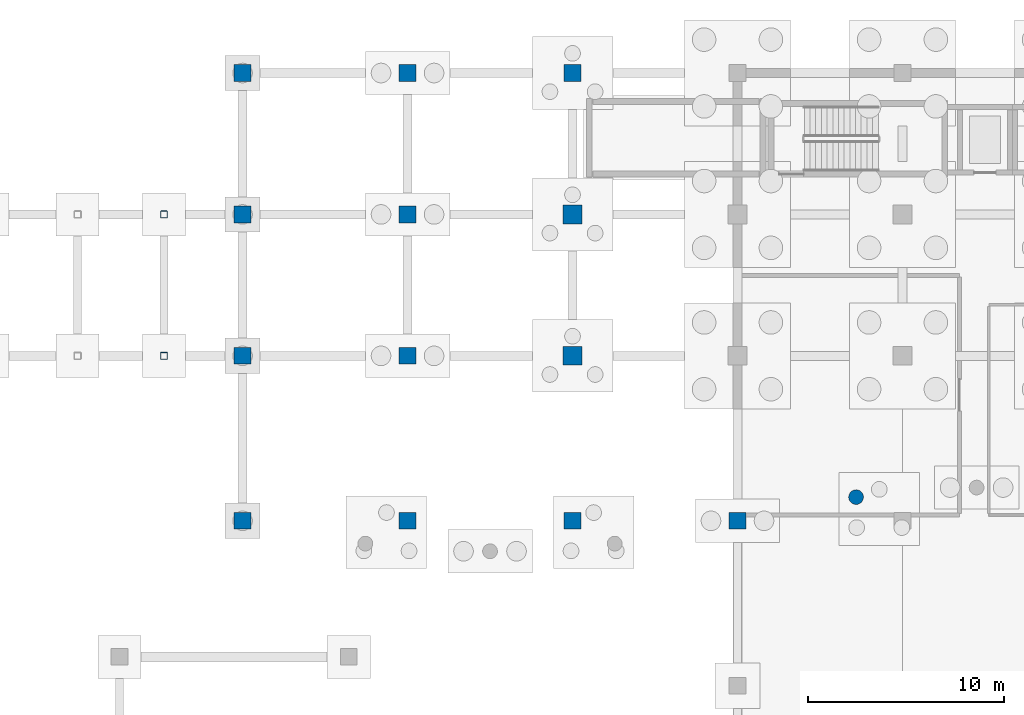
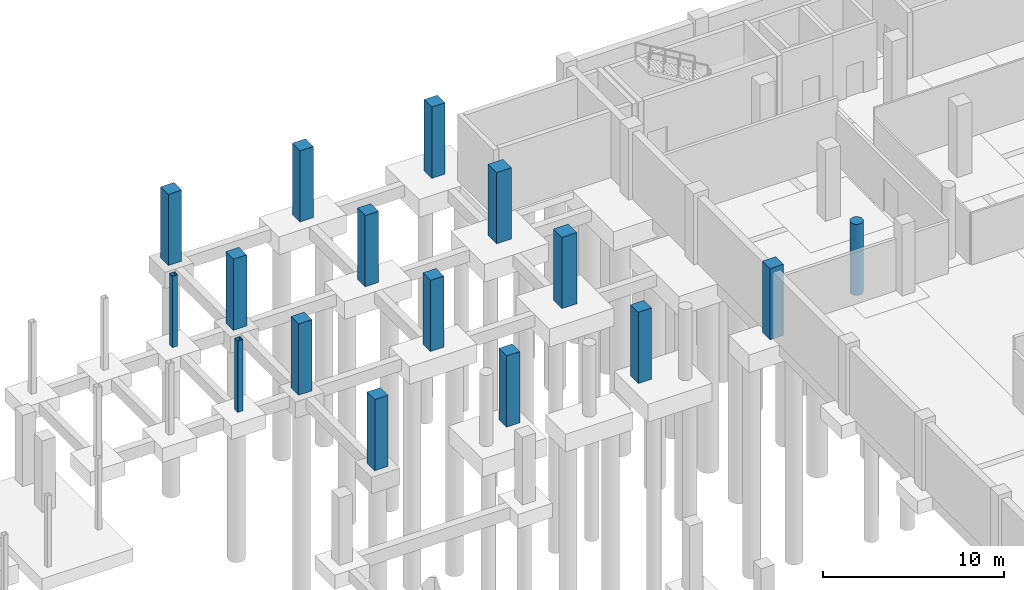
# One storey, part 24 of 44: 16 columns.
"""IFC4 building model written with IfcOpenShell, lengths in metres."""

from ifc_helpers import new_model, si_unit, direction, frame, origin, origin_2d, place, context, subcontext, project, spatial, rectangle, hollow_rectangle, circle, extrude, material, material_profile, profile_set, type_object, element, save


model = new_model("IFC4")

# Units and contexts
model_context = context("Model", 3, precision=1e-05, world=origin(), true_north=direction((0.0, 1.0)))
body_context = subcontext(model_context, "Body", "Model", "MODEL_VIEW")
ifc_project = project(units=[si_unit("LENGTHUNIT", "METRE"), si_unit("AREAUNIT", "SQUARE_METRE"), si_unit("VOLUMEUNIT", "CUBIC_METRE"), si_unit("PLANEANGLEUNIT", "RADIAN"), si_unit("MASSUNIT", "GRAM", prefix="KILO")], contexts=[model_context])

# Site, building, storey
site_placement = place(None, origin())
site = spatial("IfcSite", under=ifc_project, at=site_placement, CompositionType="ELEMENT")
building_placement = place(site_placement, origin())
building = spatial("IfcBuilding", under=site, at=building_placement, Name="Kisaragi Civic Commons", CompositionType="ELEMENT")
storey_placement = place(building_placement, frame((0.0, 0.0, -4.800048828125)))
storey = spatial("IfcBuildingStorey", under=building, at=storey_placement, Name="B1", CompositionType="ELEMENT", Elevation=-4.800048828125)

# Columns
ifc_material_1 = material(Name="Concrete Fc36", Category="concrete")
ifc_material_profile_1 = material_profile(ifc_material_1, rectangle(XDim=0.85009765625, YDim=0.85009765625, at=origin_2d()), Name="RC-850x850", Category="concrete")
ifc_profile_set_1 = profile_set([ifc_material_profile_1], Name="Concrete Fc36")
column_type_1 = type_object("IfcColumnType", Name="C-01", PredefinedType="COLUMN", material=ifc_profile_set_1)
for number, where, z_axis, x_axis, name in (
    (1, (80.39990234375, 96.0, 0.0), (0.0, 0.0, 1.0), (1.0, 0.0, 0.0), "B1 column C-01 (80.4,96.0)"),
    (2, (80.39990234375, 104.39990234375, 0.0), (0.0, 0.0, 1.0), (1.0, 0.0, 0.0), "B1 column C-01 (80.4,104.4)"),
    (3, (80.39990234375, 111.60009765625, 0.0), (0.0, 0.0, 1.0), (1.0, 0.0, 0.0), "B1 column C-01 (80.4,111.6)"),
    (4, (88.800048828125, 96.0, 0.0), (0.0, 0.0, 1.0), (1.0, 0.0, 0.0), "B1 column C-01 (88.8,96.0)"),
):
    element("IfcColumn", number, at=place(storey_placement, frame(where, z_axis=z_axis, x_axis=x_axis)), inside=storey, type_object=column_type_1, Name=name, PredefinedType="COLUMN", context=body_context, shape_type="SweptSolid", body=[
        extrude(rectangle(XDim=0.85009765625, YDim=0.85009765625, at=origin_2d()), origin(), (0.0, 0.0, 1.0), 4.800048828125),
    ])
ifc_material_profile_2 = material_profile(ifc_material_1, rectangle(XDim=0.85009765625, YDim=0.85009765625, at=origin_2d()), Name="RC-850x850", Category="concrete")
ifc_profile_set_2 = profile_set([ifc_material_profile_2], Name="Concrete Fc36")
column_type_2 = type_object("IfcColumnType", Name="C-05", PredefinedType="COLUMN", material=ifc_profile_set_2)
for number, where, z_axis, x_axis, name in (
    (5, (72.0, 96.0, 0.0), (0.0, 0.0, 1.0), (1.0, 0.0, 0.0), "B1 column C-05 (72.0,96.0)"),
    (6, (72.0, 104.39990234375, 0.0), (0.0, 0.0, 1.0), (1.0, 0.0, 0.0), "B1 column C-05 (72.0,104.4)"),
    (7, (72.0, 111.60009765625, 0.0), (0.0, 0.0, 1.0), (1.0, 0.0, 0.0), "B1 column C-05 (72.0,111.6)"),
    (8, (72.0, 118.800048828125, 0.0), (0.0, 0.0, 1.0), (1.0, 0.0, 0.0), "B1 column C-05 (72.0,118.8)"),
    (9, (80.39990234375, 118.800048828125, 0.0), (0.0, 0.0, 1.0), (1.0, 0.0, 0.0), "B1 column C-05 (80.4,118.8)"),
    (10, (88.800048828125, 118.800048828125, 0.0), (0.0, 0.0, 1.0), (1.0, 0.0, 0.0), "B1 column C-05 (88.8,118.8)"),
    (11, (97.199951171875, 96.0, 0.0), (0.0, 0.0, 1.0), (1.0, 0.0, 0.0), "B1 column C-05 (97.2,96.0)"),
):
    element("IfcColumn", number, at=place(storey_placement, frame(where, z_axis=z_axis, x_axis=x_axis)), inside=storey, type_object=column_type_2, Name=name, PredefinedType="COLUMN", context=body_context, shape_type="SweptSolid", body=[
        extrude(rectangle(XDim=0.85009765625, YDim=0.85009765625, at=origin_2d()), origin(), (0.0, 0.0, 1.0), 4.800048828125),
    ])
ifc_material_profile_3 = material_profile(ifc_material_1, rectangle(XDim=0.949951171875, YDim=0.949951171875, at=origin_2d()), Name="RC-950x950", Category="concrete")
ifc_profile_set_3 = profile_set([ifc_material_profile_3], Name="Concrete Fc36")
column_type_3 = type_object("IfcColumnType", Name="C-11", PredefinedType="COLUMN", material=ifc_profile_set_3)
for number, where, z_axis, x_axis, name in (
    (12, (88.800048828125, 104.39990234375, 0.0), (0.0, 0.0, 1.0), (1.0, 0.0, 0.0), "B1 column C-11 (88.8,104.4)"),
    (13, (88.800048828125, 111.60009765625, 0.0), (0.0, 0.0, 1.0), (1.0, 0.0, 0.0), "B1 column C-11 (88.8,111.6)"),
):
    element("IfcColumn", number, at=place(storey_placement, frame(where, z_axis=z_axis, x_axis=x_axis)), inside=storey, type_object=column_type_3, Name=name, PredefinedType="COLUMN", context=body_context, shape_type="SweptSolid", body=[
        extrude(rectangle(XDim=0.949951171875, YDim=0.949951171875, at=origin_2d()), origin(), (0.0, 0.0, 1.0), 4.800048828125),
    ])
ifc_material_2 = material(Name="Steel BCR295", Category="steel")
ifc_material_profile_4 = material_profile(ifc_material_2, hollow_rectangle(XDim=0.35009765625, YDim=0.35009765625, WallThickness=0.011962890625, InnerFilletRadius=0.011962890625, OuterFilletRadius=0.02392578125, at=origin_2d()), Name="BCR-350x350x12", Category="steel")
ifc_profile_set_4 = profile_set([ifc_material_profile_4], Name="Steel BCR295")
column_type_4 = type_object("IfcColumnType", Name="C-13", PredefinedType="COLUMN", material=ifc_profile_set_4)
for number, where, z_axis, x_axis, name in (
    (14, (68.0, 104.39990234375, 0.0), (0.0, 0.0, 1.0), (1.0, 0.0, 0.0), "B1 column C-13 (68.0,104.4)"),
    (15, (68.0, 111.60009765625, 0.0), (0.0, 0.0, 1.0), (1.0, 0.0, 0.0), "B1 column C-13 (68.0,111.6)"),
):
    element("IfcColumn", number, at=place(storey_placement, frame(where, z_axis=z_axis, x_axis=x_axis)), inside=storey, type_object=column_type_4, Name=name, PredefinedType="COLUMN", context=body_context, shape_type="SweptSolid", body=[
        extrude(hollow_rectangle(XDim=0.35009765625, YDim=0.35009765625, WallThickness=0.011962890625, InnerFilletRadius=0.011962890625, OuterFilletRadius=0.02392578125, at=origin_2d()), origin(), (0.0, 0.0, 1.0), 4.800048828125),
    ])
ifc_material_profile_5 = material_profile(ifc_material_1, circle(Radius=0.375, at=origin_2d()), Name="RC-D750", Category="concrete")
ifc_profile_set_5 = profile_set([ifc_material_profile_5], Name="Concrete Fc36")
column_type_5 = type_object("IfcColumnType", Name="C-24", PredefinedType="COLUMN", material=ifc_profile_set_5)
column_placement = place(storey_placement, frame((103.236572265625, 97.20751953125, 0.0), z_axis=(0.0, 0.0, 1.0), x_axis=(1.0, 0.0, 0.0)))
element("IfcColumn", 16, at=column_placement, inside=storey, type_object=column_type_5, Name="B1 column C-24 (103.2,97.2)", PredefinedType="COLUMN", context=body_context, shape_type="SweptSolid", body=[
    extrude(circle(Radius=0.375, at=origin_2d()), origin(), (0.0, 0.0, 1.0), 4.800048828125),
])

save(model, "model.ifc")
